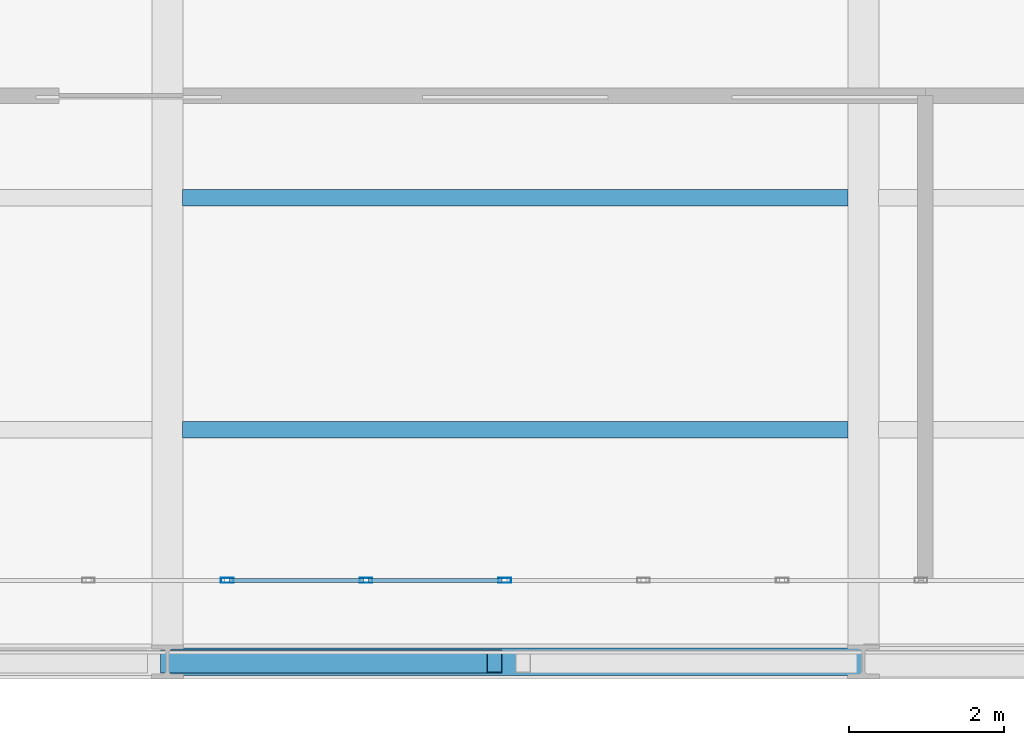
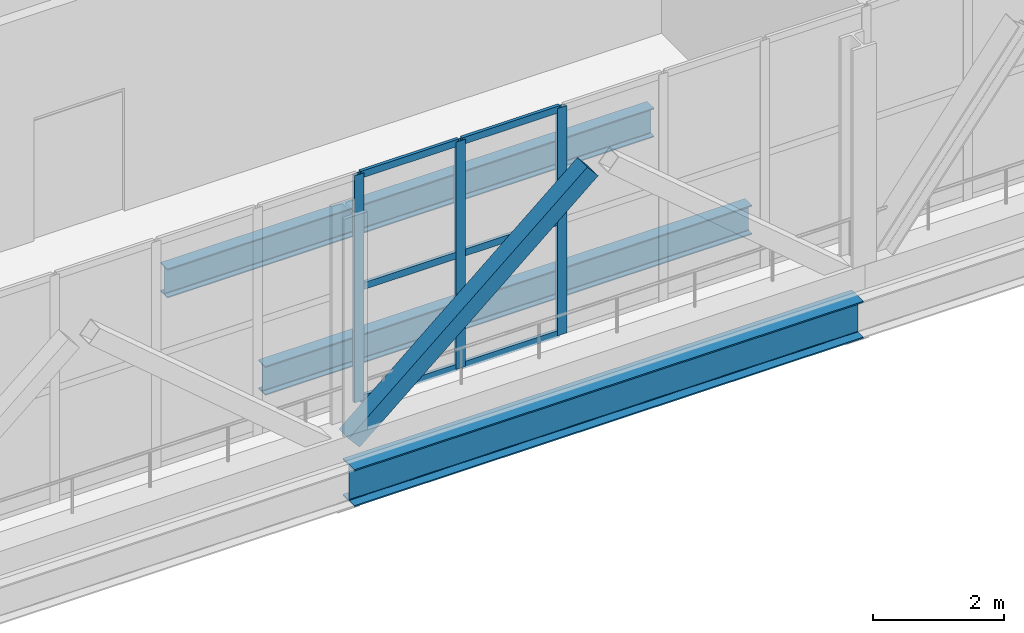
# One storey, part 4 of 27: 10 members, 3 beams, 1 element without a shape of its own.
"""IFC4 building model written with IfcOpenShell, lengths in metres."""

from ifc_helpers import new_model, si_unit, direction, frame, origin, origin_2d, place, context, subcontext, project, spatial, hollow_rectangle, i_section, extrude, material, layer, layer_set, material_profile, profile_set, type_object, element, aggregate, save


model = new_model("IFC4")

# Units and contexts
model_context = context("Model", 3, precision=1e-05, world=origin(), true_north=direction((0.0, 1.0)))
body_context = subcontext(model_context, "Body", "Model", "MODEL_VIEW")
ifc_project = project(units=[si_unit("LENGTHUNIT", "METRE"), si_unit("AREAUNIT", "SQUARE_METRE"), si_unit("VOLUMEUNIT", "CUBIC_METRE"), si_unit("PLANEANGLEUNIT", "RADIAN"), si_unit("MASSUNIT", "GRAM", prefix="KILO")], contexts=[model_context])

# Site, building, storey
site_placement = place(None, origin())
site = spatial("IfcSite", under=ifc_project, at=site_placement, CompositionType="ELEMENT")
building_placement = place(site_placement, origin())
building = spatial("IfcBuilding", under=site, at=building_placement, Name="Mawjdan Bourse Tower", CompositionType="ELEMENT")
storey_placement = place(building_placement, frame((0.0, 0.0, 155.699951171875)))
storey = spatial("IfcBuildingStorey", under=building, at=storey_placement, Name="L37", CompositionType="ELEMENT", Elevation=155.699951171875)

# Member
ifc_material_1 = material(Name="Structural Steel S460", Category="steel")
ifc_material_profile_1 = material_profile(ifc_material_1, hollow_rectangle(XDim=0.300048828125, YDim=0.300048828125, WallThickness=0.012451171875, at=origin_2d()), Name="HSS300X300X12.5")
ifc_profile_set_1 = profile_set([ifc_material_profile_1], Name="Structural Steel S460")
member_type_1 = type_object("IfcMemberType", Name="BRC-HSS300X300X12.5", PredefinedType="BRACE", material=ifc_profile_set_1)
member_1_placement = place(storey_placement, frame((33.008544921875, 3.0, 0.199951171875), z_axis=(0.760807747852, 0.0, 0.648977326883), x_axis=(0.0, 1.0, 0.0)))
element("IfcMember", 1, at=member_1_placement, inside=storey, type_object=member_type_1, Name="L37 East Outrigger Truss 1 Diagonal 3", PredefinedType="BRACE", context=body_context, shape_type="SweptSolid", body=[
    extrude(hollow_rectangle(XDim=0.300048828125, YDim=0.300048828125, WallThickness=0.012451171875, at=origin_2d()), origin(), (0.0, 0.0, 1.0), 5.54736328125),
])

# Beams
ifc_material_2 = material(Name="Structural Steel S355", Category="steel")
ifc_material_profile_2 = material_profile(ifc_material_2, i_section(OverallWidth=0.2119140625, OverallDepth=0.5439453125, WebThickness=0.01318359375, FlangeThickness=0.021240234375, FilletRadius=0.01708984375, at=origin_2d()), Name="W21X83")
ifc_profile_set_2 = profile_set([ifc_material_profile_2], Name="Structural Steel S355")
beam_type_1 = type_object("IfcBeamType", Name="JST-W21X83", PredefinedType="JOIST", material=ifc_profile_set_2)
for number, where, z_axis, x_axis, name in (
    (2, (33.197509765625, 6.0, -0.552001953125), (1.0, 0.0, 0.0), (0.0, 1.0, 0.0), "L37 East Wing Composite Joist 021"),
    (3, (33.197509765625, 9.0, -0.552001953125), (1.0, 0.0, 0.0), (0.0, 1.0, 0.0), "L37 East Wing Composite Joist 027"),
):
    element("IfcBeam", number, at=place(storey_placement, frame(where, z_axis=z_axis, x_axis=x_axis)), inside=storey, type_object=beam_type_1, Name=name, PredefinedType="JOIST", context=body_context, shape_type="SweptSolid", body=[
        extrude(i_section(OverallWidth=0.2119140625, OverallDepth=0.5439453125, WebThickness=0.01318359375, FlangeThickness=0.021240234375, FilletRadius=0.01708984375, at=origin_2d()), origin(), (0.0, 0.0, 1.0), 8.60498046875),
    ])

# Curtain wall, members
ifc_material_3 = material(Name="Thermally Broken Aluminium and Solar Glass", Category="aluminium")
ifc_layer = layer(ifc_material_3, 0.219970703125)
ifc_layer_set = layer_set([ifc_layer], Name="Thermally Broken Aluminium and Solar Glass")
curtain_wall_type = type_object("IfcCurtainWallType", Name="CW-RFG", PredefinedType="USERDEFINED", material=ifc_layer_set)
curtain_wall_placement = place(storey_placement, origin())
curtain_wall = element("IfcCurtainWall", 4, at=curtain_wall_placement, inside=storey, type_object=curtain_wall_type, Name="L37 Refuge Band South Louvre Curtain Wall", ObjectType="REFUGE BAND LOUVRE SCREEN", PredefinedType="USERDEFINED")
ifc_material_4 = material(Name="Thermally Broken Anodised Aluminium", Category="aluminium")
ifc_material_profile_3 = material_profile(ifc_material_4, hollow_rectangle(XDim=0.06494140625, YDim=0.1650390625, WallThickness=0.00390625, at=origin_2d()), Name="ALU-MUL-165X65")
ifc_profile_set_3 = profile_set([ifc_material_profile_3], Name="Thermally Broken Anodised Aluminium")
member_type_2 = type_object("IfcMemberType", Name="MUL-ALU-MUL-165X65", PredefinedType="MULLION", material=ifc_profile_set_3)
member_2_placement = place(storey_placement, frame((33.772216796875, 4.050048828125, 0.0), z_axis=(0.0, 0.0, 1.0), x_axis=(0.0, 1.0, 0.0)))
member_2 = element("IfcMember", 5, at=member_2_placement, type_object=member_type_2, Name="CW-RFG-L37-RFG-S mullion 6", PredefinedType="MULLION", context=body_context, shape_type="SweptSolid", body=[
    extrude(hollow_rectangle(XDim=0.06494140625, YDim=0.1650390625, WallThickness=0.00390625, at=origin_2d()), origin(), (0.0, 0.0, 1.0), 4.25),
])
member_3_placement = place(storey_placement, frame((35.566650390625, 4.050048828125, 0.0), z_axis=(0.0, 0.0, 1.0), x_axis=(0.0, 1.0, 0.0)))
member_3 = element("IfcMember", 6, at=member_3_placement, type_object=member_type_2, Name="CW-RFG-L37-RFG-S mullion 7", PredefinedType="MULLION", context=body_context, shape_type="SweptSolid", body=[
    extrude(hollow_rectangle(XDim=0.06494140625, YDim=0.1650390625, WallThickness=0.00390625, at=origin_2d()), origin(), (0.0, 0.0, 1.0), 4.25),
])
member_4_placement = place(storey_placement, frame((37.361083984375, 4.050048828125, 0.0), z_axis=(0.0, 0.0, 1.0), x_axis=(0.0, 1.0, 0.0)))
member_4 = element("IfcMember", 7, at=member_4_placement, type_object=member_type_2, Name="CW-RFG-L37-RFG-S mullion 8", PredefinedType="MULLION", context=body_context, shape_type="SweptSolid", body=[
    extrude(hollow_rectangle(XDim=0.06494140625, YDim=0.1650390625, WallThickness=0.00390625, at=origin_2d()), origin(), (0.0, 0.0, 1.0), 4.25),
])

# Beam
ifc_material_profile_4 = material_profile(ifc_material_2, i_section(OverallWidth=0.35498046875, OverallDepth=0.696044921875, WebThickness=0.015380859375, FlangeThickness=0.02490234375, FilletRadius=0.019775390625, at=origin_2d()), Name="W27X146")
ifc_profile_set_4 = profile_set([ifc_material_profile_4], Name="Structural Steel S355")
beam_type_2 = type_object("IfcBeamType", Name="SPN-W27X146", PredefinedType="SPANDREL", material=ifc_profile_set_4)
beam_placement = place(storey_placement, frame((33.0, 3.0, -0.6279296875), z_axis=(1.0, 0.0, 0.0), x_axis=(0.0, 1.0, 0.0)))
element("IfcBeam", 8, at=beam_placement, inside=storey, type_object=beam_type_2, Name="L37 Perimeter Masonry-Shelf Spandrel 009", PredefinedType="SPANDREL", context=body_context, shape_type="SweptSolid", body=[
    extrude(i_section(OverallWidth=0.35498046875, OverallDepth=0.696044921875, WebThickness=0.015380859375, FlangeThickness=0.02490234375, FilletRadius=0.019775390625, at=origin_2d()), origin(), (0.0, 0.0, 1.0), 9.0),
])

# Member
ifc_material_profile_5 = material_profile(ifc_material_4, hollow_rectangle(XDim=0.054931640625, YDim=0.1298828125, WallThickness=0.00341796875, at=origin_2d()), Name="ALU-TRN-130X55")
ifc_profile_set_5 = profile_set([ifc_material_profile_5], Name="Thermally Broken Anodised Aluminium")
member_type_3 = type_object("IfcMemberType", Name="TRN-ALU-TRN-130X55", PredefinedType="USERDEFINED", material=ifc_profile_set_5)
member_5_placement = place(storey_placement, frame((33.8046875, 4.050048828125, 0.027587890625), z_axis=(1.0, 0.0, 0.0), x_axis=(0.0, 1.0, 0.0)))
member_5 = element("IfcMember", 9, at=member_5_placement, type_object=member_type_3, Name="CW-RFG-L37-RFG-S transom 6.1", ObjectType="TRANSOM", PredefinedType="USERDEFINED", context=body_context, shape_type="SweptSolid", body=[
    extrude(hollow_rectangle(XDim=0.054931640625, YDim=0.1298828125, WallThickness=0.00341796875, at=origin_2d()), origin(), (0.0, 0.0, 1.0), 1.7294921875),
])

member_6_placement = place(storey_placement, frame((33.8046875, 4.050048828125, 2.125), z_axis=(1.0, 0.0, 0.0), x_axis=(0.0, 1.0, 0.0)))
member_6 = element("IfcMember", 10, at=member_6_placement, type_object=member_type_3, Name="CW-RFG-L37-RFG-S transom 6.2", ObjectType="TRANSOM", PredefinedType="USERDEFINED", context=body_context, shape_type="SweptSolid", body=[
    extrude(hollow_rectangle(XDim=0.054931640625, YDim=0.1298828125, WallThickness=0.00341796875, at=origin_2d()), origin(), (0.0, 0.0, 1.0), 1.7294921875),
])

member_7_placement = place(storey_placement, frame((33.8046875, 4.050048828125, 4.22265625), z_axis=(1.0, 0.0, 0.0), x_axis=(0.0, 1.0, 0.0)))
member_7 = element("IfcMember", 11, at=member_7_placement, type_object=member_type_3, Name="CW-RFG-L37-RFG-S transom 6.3", ObjectType="TRANSOM", PredefinedType="USERDEFINED", context=body_context, shape_type="SweptSolid", body=[
    extrude(hollow_rectangle(XDim=0.054931640625, YDim=0.1298828125, WallThickness=0.00341796875, at=origin_2d()), origin(), (0.0, 0.0, 1.0), 1.7294921875),
])

member_8_placement = place(storey_placement, frame((35.59912109375, 4.050048828125, 0.027587890625), z_axis=(1.0, 0.0, 0.0), x_axis=(0.0, 1.0, 0.0)))
member_8 = element("IfcMember", 12, at=member_8_placement, type_object=member_type_3, Name="CW-RFG-L37-RFG-S transom 7.1", ObjectType="TRANSOM", PredefinedType="USERDEFINED", context=body_context, shape_type="SweptSolid", body=[
    extrude(hollow_rectangle(XDim=0.054931640625, YDim=0.1298828125, WallThickness=0.00341796875, at=origin_2d()), origin(), (0.0, 0.0, 1.0), 1.7294921875),
])

member_9_placement = place(storey_placement, frame((35.59912109375, 4.050048828125, 2.125), z_axis=(1.0, 0.0, 0.0), x_axis=(0.0, 1.0, 0.0)))
member_9 = element("IfcMember", 13, at=member_9_placement, type_object=member_type_3, Name="CW-RFG-L37-RFG-S transom 7.2", ObjectType="TRANSOM", PredefinedType="USERDEFINED", context=body_context, shape_type="SweptSolid", body=[
    extrude(hollow_rectangle(XDim=0.054931640625, YDim=0.1298828125, WallThickness=0.00341796875, at=origin_2d()), origin(), (0.0, 0.0, 1.0), 1.7294921875),
])

member_10_placement = place(storey_placement, frame((35.59912109375, 4.050048828125, 4.22265625), z_axis=(1.0, 0.0, 0.0), x_axis=(0.0, 1.0, 0.0)))
member_10 = element("IfcMember", 14, at=member_10_placement, type_object=member_type_3, Name="CW-RFG-L37-RFG-S transom 7.3", ObjectType="TRANSOM", PredefinedType="USERDEFINED", context=body_context, shape_type="SweptSolid", body=[
    extrude(hollow_rectangle(XDim=0.054931640625, YDim=0.1298828125, WallThickness=0.00341796875, at=origin_2d()), origin(), (0.0, 0.0, 1.0), 1.7294921875),
])

aggregate(curtain_wall, [member_2, member_3, member_4, member_5, member_6, member_7, member_8, member_9, member_10])

save(model, "model.ifc")
